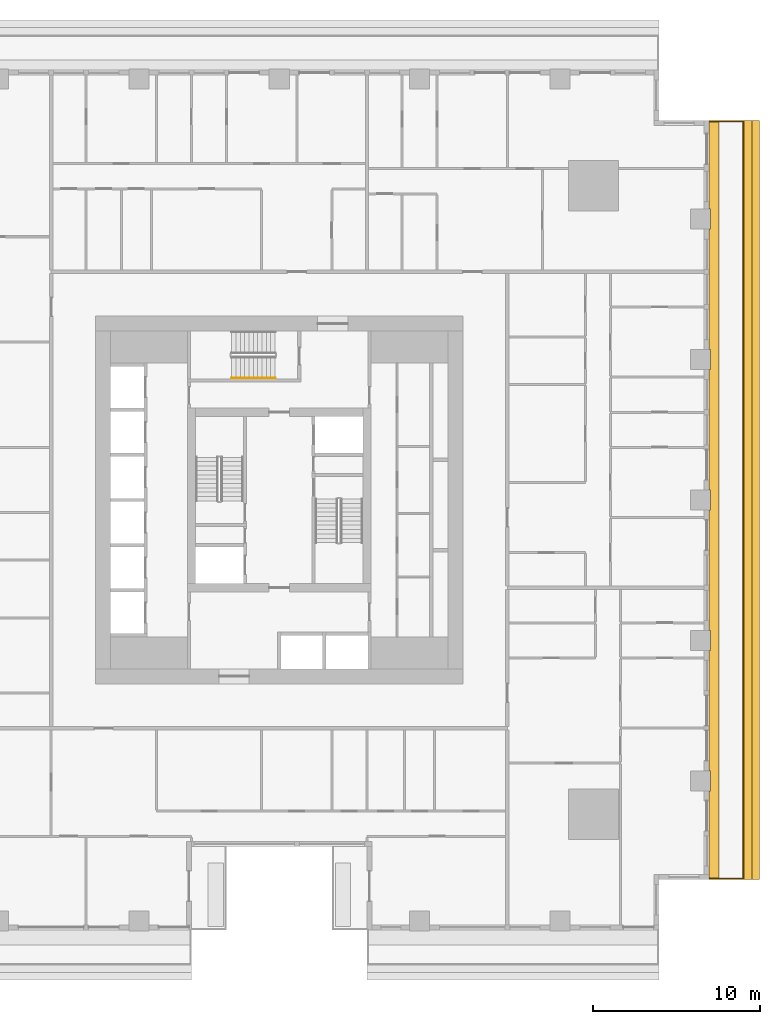
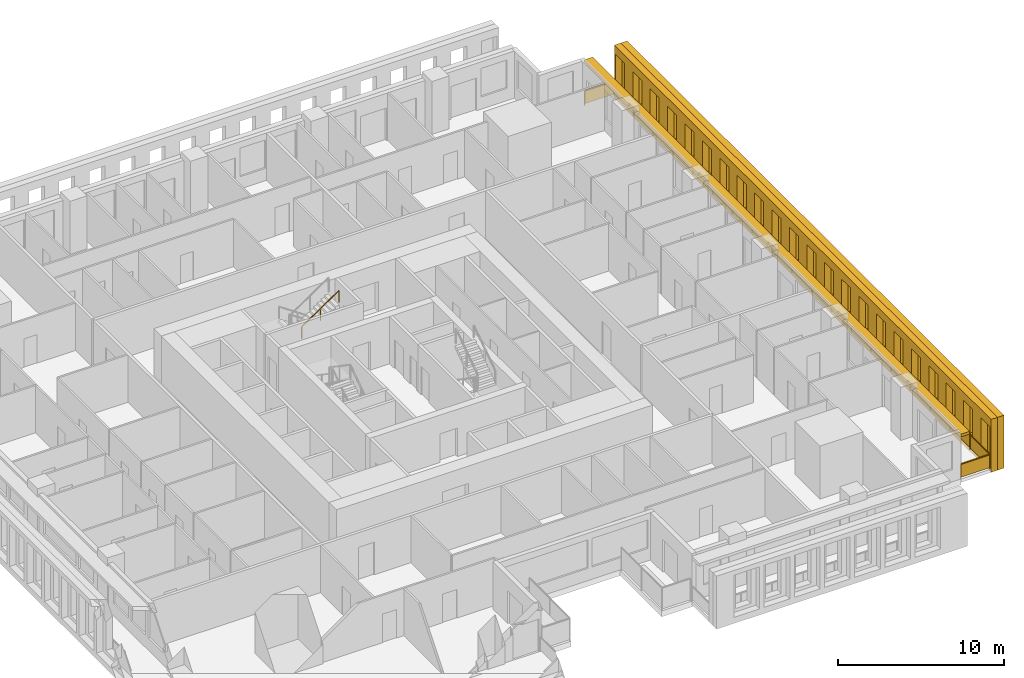
# One storey, part 13 of 15: 3 shading devices, 2 railings.
"""IFC4 building model written with IfcOpenShell, lengths in metres."""

import ifcopenshell
import ifcopenshell.guid

model = None  # the IFC model being written
_history = None  # IfcOwnerHistory: only IFC2X3 demands one
_inside = {}  # id of a spatial element -> (the spatial element, [elements in it])
_under = {}  # id of a project, library or spatial element -> (it, [spatial elements below it])
_declared = {}  # id of a project -> (the project, [libraries it declares])
_typed = {}  # id of a type object -> (the type object, [elements of that type])
_made_of = {}  # id of a material, layer set ... -> (it, [elements and type objects made of it])


def new_model(schema):
    """Start an empty IFC model of exactly this schema.

    Asked for "IFC4X3", IfcOpenShell would pick the latest addendum, in which some entities
    have other attributes; the version numbers below select the first issue.
    IFC2X3 requires an IfcOwnerHistory on every rooted entity: one is made here for all.
    """
    global model, _history
    if schema == "IFC4X3":
        model = ifcopenshell.file(schema_version=(4, 3, 0, 0))
    else:
        model = ifcopenshell.file(schema=schema)
    _inside.clear()
    _under.clear()
    _declared.clear()
    _typed.clear()
    _made_of.clear()
    _history = None
    if model.schema == "IFC2X3":
        org = make("IfcOrganization", Name="unknown")
        user = make(
            "IfcPersonAndOrganization",
            ThePerson=make("IfcPerson", FamilyName="unknown"),
            TheOrganization=org,
        )
        app = make(
            "IfcApplication",
            ApplicationDeveloper=org,
            Version="unknown",
            ApplicationFullName="unknown",
            ApplicationIdentifier="unknown",
        )
        _history = make(
            "IfcOwnerHistory",
            OwningUser=user,
            OwningApplication=app,
            ChangeAction="ADDED",
            CreationDate=0,
        )
    return model


def make(cls, **values):
    """One entity of the class cls with the attributes given. An attribute that is None is left unset."""
    return model.create_entity(
        cls, **{name: value for name, value in values.items() if value is not None}
    )


def rooted(cls, **values):
    """An entity with a GlobalId (a new one), such as an element, a storey or a relation."""
    return make(cls, GlobalId=ifcopenshell.guid.new(), OwnerHistory=_history, **values)


def si_unit(unit_type, name, prefix=None):
    """IfcSIUnit, for example si_unit("LENGTHUNIT", "METRE", prefix="MILLI")."""
    return make("IfcSIUnit", UnitType=unit_type, Prefix=prefix, Name=name)


def assignment(units):
    """IfcUnitAssignment: the units of a project."""
    return None if units is None else make("IfcUnitAssignment", Units=units)


def point(xyz):
    """IfcCartesianPoint."""
    return None if xyz is None else make("IfcCartesianPoint", Coordinates=xyz)


def direction(xyz):
    """IfcDirection."""
    return None if xyz is None else make("IfcDirection", DirectionRatios=xyz)


def frame(location, z_axis=None, x_axis=None):
    """IfcAxis2Placement3D, a coordinate frame: its origin and axes. An axis left out is left unset."""
    return make(
        "IfcAxis2Placement3D",
        Location=point(location),
        Axis=direction(z_axis),
        RefDirection=direction(x_axis),
    )


def frame_2d(location, x_axis=None):
    """IfcAxis2Placement2D, a coordinate frame in the plane: its origin and x axis."""
    return make(
        "IfcAxis2Placement2D", Location=point(location), RefDirection=direction(x_axis)
    )


def origin():
    """The frame at (0, 0, 0) with its axes left unset."""
    return frame((0.0, 0.0, 0.0))


def origin_2d():
    """The frame at (0, 0) in the plane with its x axis left unset."""
    return frame_2d((0.0, 0.0))


def place(relative_to, where):
    """IfcLocalPlacement: puts the frame where relative to a parent placement (None: the world)."""
    return make(
        "IfcLocalPlacement", PlacementRelTo=relative_to, RelativePlacement=where
    )


def context(
    kind, dimensions, precision=None, world=None, true_north=None, identifier=None
):
    """IfcGeometricRepresentationContext, for example the 3D "Model" context."""
    return make(
        "IfcGeometricRepresentationContext",
        ContextIdentifier=identifier,
        ContextType=kind,
        CoordinateSpaceDimension=dimensions,
        Precision=precision,
        WorldCoordinateSystem=world,
        TrueNorth=true_north,
    )


def subcontext(parent, identifier, kind, view, scale=None):
    """IfcGeometricRepresentationSubContext, for example "Body" below "Model"."""
    return make(
        "IfcGeometricRepresentationSubContext",
        ContextIdentifier=identifier,
        ContextType=kind,
        ParentContext=parent,
        TargetScale=scale,
        TargetView=view,
    )


def project(units=None, contexts=None):
    """IfcProject with its units and contexts."""
    return rooted(
        "IfcProject",
        Name="project",
        RepresentationContexts=contexts,
        UnitsInContext=assignment(units),
    )


def spatial(cls, under=None, at=None, **own):
    """A site, building, storey or space (cls), placed at a placement, below another one or the project."""
    s = rooted(cls, ObjectPlacement=at, **own)
    if under is not None:
        _under.setdefault(under.id(), (under, []))[1].append(s)
    return s


def polyline(points):
    """IfcPolyline through the points."""
    return make("IfcPolyline", Points=[point(p) for p in points])


def profile(cls, at=None, kind="AREA", **sizes):
    """A parametric profile (cls). Its sizes go by their IFC names, for example OverallWidth=200.0."""
    return make(cls, ProfileType=kind, Position=at, **sizes)


def rectangle(**sizes):
    """IfcRectangleProfileDef."""
    return profile("IfcRectangleProfileDef", **sizes)


def outline(outer, holes=None, kind="AREA"):
    """IfcArbitraryClosedProfileDef: a profile drawn as a closed curve; with holes, ...WithVoids."""
    if holes is None:
        return make("IfcArbitraryClosedProfileDef", ProfileType=kind, OuterCurve=outer)
    return make(
        "IfcArbitraryProfileDefWithVoids",
        ProfileType=kind,
        OuterCurve=outer,
        InnerCurves=holes,
    )


def extrude(swept, where, along, depth):
    """IfcExtrudedAreaSolid: the profile swept, set in the frame where, extruded along a direction by depth."""
    return make(
        "IfcExtrudedAreaSolid",
        SweptArea=swept,
        Position=where,
        ExtrudedDirection=direction(along),
        Depth=depth,
    )


def shape(context_of_items, identifier, shape_type, items):
    """IfcShapeRepresentation: the items that make up one representation, for example the "Body"."""
    return make(
        "IfcShapeRepresentation",
        ContextOfItems=context_of_items,
        RepresentationIdentifier=identifier,
        RepresentationType=shape_type,
        Items=items,
    )


def material(Name=None, Category=None):
    """IfcMaterial."""
    return make("IfcMaterial", Name=Name, Category=Category)


def layer(
    of_material, thickness, ventilated=None, Name=None, Category=None, Priority=None
):
    """IfcMaterialLayer: one layer of a wall or slab, of a material (None: an air gap)."""
    return make(
        "IfcMaterialLayer",
        Material=of_material,
        LayerThickness=thickness,
        IsVentilated=ventilated,
        Name=Name,
        Category=Category,
        Priority=Priority,
    )


def layer_set(layers, Name=None):
    """IfcMaterialLayerSet."""
    return make("IfcMaterialLayerSet", MaterialLayers=layers, LayerSetName=Name)


def made_of(thing, what):
    """Note that an element or type object is made of a material, layer set ...; save() writes the relation."""
    if what is not None:
        _made_of.setdefault(what.id(), (what, []))[1].append(thing)
    return thing


def type_object(cls, material=None, **own):
    """A type object (cls), such as IfcWallType, which elements share."""
    return made_of(rooted(cls, **own), material)


def element(
    cls,
    number,
    at=None,
    inside=None,
    cuts=None,
    type_object=None,
    material=None,
    context=None,
    identifier="Body",
    shape_type=None,
    held_by="IfcProductDefinitionShape",
    body=None,
    shapes=None,
    **own,
):
    """One element of the class cls, such as IfcWall. Its Tag is "e" and its number.

    at: its placement. inside: the storey or other place that contains it. cuts: it is an
    opening in that element (IfcRelVoidsElement). A single representation is given by context,
    identifier, shape_type and body (its items); several are given by shapes. held_by: the class
    of the entity that holds the representations. save() writes the other relations.
    """
    e = rooted(cls, Tag="e%d" % number, ObjectPlacement=at, **own)
    if body is not None:
        shapes = [shape(context, identifier, shape_type, body)]
    if shapes is not None:
        e.Representation = make(held_by, Representations=shapes)
    if inside is not None:
        _inside.setdefault(inside.id(), (inside, []))[1].append(e)
    if cuts is not None:
        rooted(
            "IfcRelVoidsElement", RelatingBuildingElement=cuts, RelatedOpeningElement=e
        )
    if type_object is not None:
        _typed.setdefault(type_object.id(), (type_object, []))[1].append(e)
    return made_of(e, material)


def aggregate(whole, parts):
    """IfcRelAggregates: a whole, such as a stair, and the parts it consists of."""
    return rooted("IfcRelAggregates", RelatingObject=whole, RelatedObjects=parts)


def save(model, path):
    """Write the relations noted so far, then the file.

    IfcRelAggregates (storeys below a building ...), IfcRelContainedInSpatialStructure (elements
    in a storey), IfcRelDefinesByType, IfcRelAssociatesMaterial and IfcRelDeclares: one each for
    every whole, place, type object, material and project.
    """
    for whole, parts in _under.values():
        aggregate(whole, parts)
    for where, things in _inside.values():
        rooted(
            "IfcRelContainedInSpatialStructure",
            RelatedElements=things,
            RelatingStructure=where,
        )
    for kind, things in _typed.values():
        rooted("IfcRelDefinesByType", RelatedObjects=things, RelatingType=kind)
    for what, things in _made_of.values():
        rooted("IfcRelAssociatesMaterial", RelatedObjects=things, RelatingMaterial=what)
    for by, libraries in _declared.values():
        rooted("IfcRelDeclares", RelatingContext=by, RelatedDefinitions=libraries)
    model.write(path)


model = new_model("IFC4")

# Units and contexts
model_context = context("Model", 3, precision=1e-05, world=origin(), true_north=direction((0.0, 1.0)))
body_context = subcontext(model_context, "Body", "Model", "MODEL_VIEW")
ifc_project = project(units=[si_unit("LENGTHUNIT", "METRE"), si_unit("AREAUNIT", "SQUARE_METRE"), si_unit("VOLUMEUNIT", "CUBIC_METRE"), si_unit("PLANEANGLEUNIT", "RADIAN"), si_unit("MASSUNIT", "GRAM", prefix="KILO")], contexts=[model_context])

# Site, building, storey
site_placement = place(None, origin())
site = spatial("IfcSite", under=ifc_project, at=site_placement, CompositionType="ELEMENT")
building_placement = place(site_placement, origin())
building = spatial("IfcBuilding", under=site, at=building_placement, Name="Khepri Terraces", CompositionType="ELEMENT")
storey_placement = place(building_placement, frame((0.0, 0.0, 34.800048828125)))
storey = spatial("IfcBuildingStorey", under=building, at=storey_placement, Name="L07", CompositionType="ELEMENT", Elevation=34.800048828125)

# Railings
ifc_material_1 = material(Name="Stainless steel grade 316", Category="steel")
railing_type_1 = type_object("IfcRailingType", Name="GRD-BAL-1100", PredefinedType="GUARDRAIL", material=ifc_material_1)
railing_1_placement = place(storey_placement, frame((25.719970703125, -22.669921875, 0.0)))
element("IfcRailing", 1, at=railing_1_placement, inside=storey, type_object=railing_type_1, Name="Balcony guard L07 E", PredefinedType="GUARDRAIL", context=body_context, shape_type="SweptSolid", body=[
    extrude(rectangle(XDim=0.050048828125, YDim=0.06005859375, at=origin_2d()), frame((0.0, 0.0, 1.070068359375), z_axis=(1.0, 0.0, 0.0), x_axis=(0.0, 1.0, 0.0)), (0.0, 0.0, 1.0), 2.050048828125),
    extrude(rectangle(XDim=2.0, YDim=0.011962890625, at=origin_2d()), frame((1.02490234375, 0.0, 0.10009765625), z_axis=(0.0, 0.0, 1.0), x_axis=(1.0, 0.0, 0.0)), (0.0, 0.0, 1.0), 0.93994140625),
    extrude(rectangle(XDim=0.050048828125, YDim=0.06005859375, at=origin_2d()), frame((2.050048828125, 0.0, 1.070068359375), z_axis=(0.0, 1.0, 0.0), x_axis=(-1.0, 0.0, 0.0)), (0.0, 0.0, 1.0), 45.33984375),
    extrude(rectangle(XDim=2.336181640625, YDim=0.011962890625, at=origin_2d()), frame((2.050048828125, 1.193115234375, 0.10009765625), z_axis=(0.0, 0.0, 1.0), x_axis=(0.0, 1.0, 0.0)), (0.0, 0.0, 1.0), 0.93994140625),
    extrude(rectangle(XDim=2.336181640625, YDim=0.011962890625, at=origin_2d()), frame((2.050048828125, 3.579345703125, 0.10009765625), z_axis=(0.0, 0.0, 1.0), x_axis=(0.0, 1.0, 0.0)), (0.0, 0.0, 1.0), 0.93994140625),
    extrude(rectangle(XDim=2.336181640625, YDim=0.011962890625, at=origin_2d()), frame((2.050048828125, 5.9658203125, 0.10009765625), z_axis=(0.0, 0.0, 1.0), x_axis=(0.0, 1.0, 0.0)), (0.0, 0.0, 1.0), 0.93994140625),
    extrude(rectangle(XDim=2.336181640625, YDim=0.011962890625, at=origin_2d()), frame((2.050048828125, 8.35205078125, 0.10009765625), z_axis=(0.0, 0.0, 1.0), x_axis=(0.0, 1.0, 0.0)), (0.0, 0.0, 1.0), 0.93994140625),
    extrude(rectangle(XDim=2.336181640625, YDim=0.011962890625, at=origin_2d()), frame((2.050048828125, 10.73828125, 0.10009765625), z_axis=(0.0, 0.0, 1.0), x_axis=(0.0, 1.0, 0.0)), (0.0, 0.0, 1.0), 0.93994140625),
    extrude(rectangle(XDim=2.336181640625, YDim=0.011962890625, at=origin_2d()), frame((2.050048828125, 13.124755859375, 0.10009765625), z_axis=(0.0, 0.0, 1.0), x_axis=(0.0, 1.0, 0.0)), (0.0, 0.0, 1.0), 0.93994140625),
    extrude(rectangle(XDim=2.336181640625, YDim=0.011962890625, at=origin_2d()), frame((2.050048828125, 15.510986328125, 0.10009765625), z_axis=(0.0, 0.0, 1.0), x_axis=(0.0, 1.0, 0.0)), (0.0, 0.0, 1.0), 0.93994140625),
    extrude(rectangle(XDim=2.336181640625, YDim=0.011962890625, at=origin_2d()), frame((2.050048828125, 17.897216796875, 0.10009765625), z_axis=(0.0, 0.0, 1.0), x_axis=(0.0, 1.0, 0.0)), (0.0, 0.0, 1.0), 0.93994140625),
    extrude(rectangle(XDim=2.336181640625, YDim=0.011962890625, at=origin_2d()), frame((2.050048828125, 20.28369140625, 0.10009765625), z_axis=(0.0, 0.0, 1.0), x_axis=(0.0, 1.0, 0.0)), (0.0, 0.0, 1.0), 0.93994140625),
    extrude(rectangle(XDim=2.336181640625, YDim=0.011962890625, at=origin_2d()), frame((2.050048828125, 22.669921875, 0.10009765625), z_axis=(0.0, 0.0, 1.0), x_axis=(0.0, 1.0, 0.0)), (0.0, 0.0, 1.0), 0.93994140625),
    extrude(rectangle(XDim=2.336181640625, YDim=0.011962890625, at=origin_2d()), frame((2.050048828125, 25.05615234375, 0.10009765625), z_axis=(0.0, 0.0, 1.0), x_axis=(0.0, 1.0, 0.0)), (0.0, 0.0, 1.0), 0.93994140625),
    extrude(rectangle(XDim=2.336181640625, YDim=0.011962890625, at=origin_2d()), frame((2.050048828125, 27.442626953125, 0.10009765625), z_axis=(0.0, 0.0, 1.0), x_axis=(0.0, 1.0, 0.0)), (0.0, 0.0, 1.0), 0.93994140625),
    extrude(rectangle(XDim=2.336181640625, YDim=0.011962890625, at=origin_2d()), frame((2.050048828125, 29.828857421875, 0.10009765625), z_axis=(0.0, 0.0, 1.0), x_axis=(0.0, 1.0, 0.0)), (0.0, 0.0, 1.0), 0.93994140625),
    extrude(rectangle(XDim=2.336181640625, YDim=0.011962890625, at=origin_2d()), frame((2.050048828125, 32.215087890625, 0.10009765625), z_axis=(0.0, 0.0, 1.0), x_axis=(0.0, 1.0, 0.0)), (0.0, 0.0, 1.0), 0.93994140625),
    extrude(rectangle(XDim=2.336181640625, YDim=0.011962890625, at=origin_2d()), frame((2.050048828125, 34.6015625, 0.10009765625), z_axis=(0.0, 0.0, 1.0), x_axis=(0.0, 1.0, 0.0)), (0.0, 0.0, 1.0), 0.93994140625),
    extrude(rectangle(XDim=2.336181640625, YDim=0.011962890625, at=origin_2d()), frame((2.050048828125, 36.98779296875, 0.10009765625), z_axis=(0.0, 0.0, 1.0), x_axis=(0.0, 1.0, 0.0)), (0.0, 0.0, 1.0), 0.93994140625),
    extrude(rectangle(XDim=2.336181640625, YDim=0.011962890625, at=origin_2d()), frame((2.050048828125, 39.3740234375, 0.10009765625), z_axis=(0.0, 0.0, 1.0), x_axis=(0.0, 1.0, 0.0)), (0.0, 0.0, 1.0), 0.93994140625),
    extrude(rectangle(XDim=2.336181640625, YDim=0.011962890625, at=origin_2d()), frame((2.050048828125, 41.760498046875, 0.10009765625), z_axis=(0.0, 0.0, 1.0), x_axis=(0.0, 1.0, 0.0)), (0.0, 0.0, 1.0), 0.93994140625),
    extrude(rectangle(XDim=2.336181640625, YDim=0.011962890625, at=origin_2d()), frame((2.050048828125, 44.146728515625, 0.10009765625), z_axis=(0.0, 0.0, 1.0), x_axis=(0.0, 1.0, 0.0)), (0.0, 0.0, 1.0), 0.93994140625),
    extrude(rectangle(XDim=0.050048828125, YDim=0.06005859375, at=origin_2d()), frame((2.050048828125, 45.33984375, 1.070068359375), z_axis=(-1.0, 0.0, 0.0), x_axis=(0.0, -1.0, 0.0)), (0.0, 0.0, 1.0), 2.050048828125),
    extrude(rectangle(XDim=2.0, YDim=0.011962890625, at=origin_2d()), frame((1.02490234375, 45.33984375, 0.10009765625), z_axis=(0.0, 0.0, 1.0), x_axis=(-1.0, 0.0, 0.0)), (0.0, 0.0, 1.0), 0.93994140625),
    extrude(rectangle(XDim=0.050048828125, YDim=0.050048828125, at=origin_2d()), origin(), (0.0, 0.0, 1.0), 1.0400390625),
    extrude(rectangle(XDim=0.050048828125, YDim=0.050048828125, at=origin_2d()), frame((2.050048828125, 0.0, 0.0)), (0.0, 0.0, 1.0), 1.0400390625),
    extrude(rectangle(XDim=0.050048828125, YDim=0.050048828125, at=origin_2d()), frame((2.050048828125, 2.38623046875, 0.0)), (0.0, 0.0, 1.0), 1.0400390625),
    extrude(rectangle(XDim=0.050048828125, YDim=0.050048828125, at=origin_2d()), frame((2.050048828125, 4.772705078125, 0.0)), (0.0, 0.0, 1.0), 1.0400390625),
    extrude(rectangle(XDim=0.050048828125, YDim=0.050048828125, at=origin_2d()), frame((2.050048828125, 7.158935546875, 0.0)), (0.0, 0.0, 1.0), 1.0400390625),
    extrude(rectangle(XDim=0.050048828125, YDim=0.050048828125, at=origin_2d()), frame((2.050048828125, 9.545166015625, 0.0)), (0.0, 0.0, 1.0), 1.0400390625),
    extrude(rectangle(XDim=0.050048828125, YDim=0.050048828125, at=origin_2d()), frame((2.050048828125, 11.931640625, 0.0)), (0.0, 0.0, 1.0), 1.0400390625),
    extrude(rectangle(XDim=0.050048828125, YDim=0.050048828125, at=origin_2d()), frame((2.050048828125, 14.31787109375, 0.0)), (0.0, 0.0, 1.0), 1.0400390625),
    extrude(rectangle(XDim=0.050048828125, YDim=0.050048828125, at=origin_2d()), frame((2.050048828125, 16.7041015625, 0.0)), (0.0, 0.0, 1.0), 1.0400390625),
    extrude(rectangle(XDim=0.050048828125, YDim=0.050048828125, at=origin_2d()), frame((2.050048828125, 19.090576171875, 0.0)), (0.0, 0.0, 1.0), 1.0400390625),
    extrude(rectangle(XDim=0.050048828125, YDim=0.050048828125, at=origin_2d()), frame((2.050048828125, 21.476806640625, 0.0)), (0.0, 0.0, 1.0), 1.0400390625),
    extrude(rectangle(XDim=0.050048828125, YDim=0.050048828125, at=origin_2d()), frame((2.050048828125, 23.863037109375, 0.0)), (0.0, 0.0, 1.0), 1.0400390625),
    extrude(rectangle(XDim=0.050048828125, YDim=0.050048828125, at=origin_2d()), frame((2.050048828125, 26.249267578125, 0.0)), (0.0, 0.0, 1.0), 1.0400390625),
    extrude(rectangle(XDim=0.050048828125, YDim=0.050048828125, at=origin_2d()), frame((2.050048828125, 28.6357421875, 0.0)), (0.0, 0.0, 1.0), 1.0400390625),
    extrude(rectangle(XDim=0.050048828125, YDim=0.050048828125, at=origin_2d()), frame((2.050048828125, 31.02197265625, 0.0)), (0.0, 0.0, 1.0), 1.0400390625),
    extrude(rectangle(XDim=0.050048828125, YDim=0.050048828125, at=origin_2d()), frame((2.050048828125, 33.408203125, 0.0)), (0.0, 0.0, 1.0), 1.0400390625),
    extrude(rectangle(XDim=0.050048828125, YDim=0.050048828125, at=origin_2d()), frame((2.050048828125, 35.794677734375, 0.0)), (0.0, 0.0, 1.0), 1.0400390625),
    extrude(rectangle(XDim=0.050048828125, YDim=0.050048828125, at=origin_2d()), frame((2.050048828125, 38.180908203125, 0.0)), (0.0, 0.0, 1.0), 1.0400390625),
    extrude(rectangle(XDim=0.050048828125, YDim=0.050048828125, at=origin_2d()), frame((2.050048828125, 40.567138671875, 0.0)), (0.0, 0.0, 1.0), 1.0400390625),
    extrude(rectangle(XDim=0.050048828125, YDim=0.050048828125, at=origin_2d()), frame((2.050048828125, 42.95361328125, 0.0)), (0.0, 0.0, 1.0), 1.0400390625),
    extrude(rectangle(XDim=0.050048828125, YDim=0.050048828125, at=origin_2d()), frame((2.050048828125, 45.33984375, 0.0)), (0.0, 0.0, 1.0), 1.0400390625),
    extrude(rectangle(XDim=0.050048828125, YDim=0.050048828125, at=origin_2d()), frame((0.0, 45.33984375, 0.0)), (0.0, 0.0, 1.0), 1.0400390625),
])
ifc_material_2 = material(Name="Stainless steel 316", Category="steel")
railing_type_2 = type_object("IfcRailingType", Name="RL-CORE-HANDRAIL", PredefinedType="HANDRAIL", material=ifc_material_2)
railing_2_placement = place(storey_placement, frame((-2.85009765625, 7.300048828125, 2.127197265625)))
element("IfcRailing", 2, at=railing_2_placement, inside=storey, type_object=railing_type_2, Name="L07 ST-3 stair handrail 2", PredefinedType="HANDRAIL", context=body_context, shape_type="SweptSolid", body=[
    extrude(rectangle(XDim=0.050048828125, YDim=0.050048828125, at=origin_2d()), frame((0.0, 0.0, 0.875), z_axis=(0.826240473404, 0.0, 0.563317565952), x_axis=(0.0, 1.0, 0.0)), (0.0, 0.0, 1.0), 3.14697265625),
    extrude(rectangle(XDim=0.050048828125, YDim=0.050048828125, at=origin_2d()), origin(), (0.0, 0.0, 1.0), 0.849853515625),
    extrude(rectangle(XDim=0.050048828125, YDim=0.050048828125, at=origin_2d()), frame((1.300048828125, 0.0, 0.88623046875)), (0.0, 0.0, 1.0), 0.849853515625),
    extrude(rectangle(XDim=0.050048828125, YDim=0.050048828125, at=origin_2d()), frame((2.60009765625, 0.0, 1.772705078125)), (0.0, 0.0, 1.0), 0.849853515625),
])

# Shading devices
ifc_material_3 = material(Name="Precast concrete C50/60 warm stone", Category="masonry")
shading_device_type_1 = type_object("IfcShadingDeviceType", Name="SCR-CELL-INNER-450", PredefinedType="USERDEFINED", material=ifc_material_3)
shading_device_1_placement = place(storey_placement, frame((27.820068359375, -22.719970703125, -0.25), z_axis=(1.0, 0.0, 0.0), x_axis=(0.0, 1.0, 0.0)))
element("IfcShadingDevice", 3, at=shading_device_1_placement, inside=storey, type_object=shading_device_type_1, Name="Cell screen L07 E in", ObjectType="SCREEN", PredefinedType="USERDEFINED", context=body_context, shape_type="SweptSolid", body=[
    extrude(outline(polyline([(0.0, 0.0), (45.43994140625, 0.0), (45.43994140625, 3.89990234375), (0.0, 3.89990234375), (0.0, 0.0)]), holes=[polyline([(0.126708984375, 0.699951171875), (1.21337890625, 0.699951171875), (1.21337890625, 3.300048828125), (0.126708984375, 3.300048828125), (0.126708984375, 0.699951171875)]), polyline([(2.2265625, 0.699951171875), (3.3134765625, 0.699951171875), (3.3134765625, 3.300048828125), (2.2265625, 3.300048828125), (2.2265625, 0.699951171875)]), polyline([(4.32666015625, 0.699951171875), (5.413330078125, 0.699951171875), (5.413330078125, 3.300048828125), (4.32666015625, 3.300048828125), (4.32666015625, 0.699951171875)]), polyline([(6.426513671875, 0.699951171875), (7.513427734375, 0.699951171875), (7.513427734375, 3.300048828125), (6.426513671875, 3.300048828125), (6.426513671875, 0.699951171875)]), polyline([(8.526611328125, 0.699951171875), (9.61328125, 0.699951171875), (9.61328125, 3.300048828125), (8.526611328125, 3.300048828125), (8.526611328125, 0.699951171875)]), polyline([(10.626708984375, 0.699951171875), (11.71337890625, 0.699951171875), (11.71337890625, 3.300048828125), (10.626708984375, 3.300048828125), (10.626708984375, 0.699951171875)]), polyline([(12.7265625, 0.699951171875), (13.8134765625, 0.699951171875), (13.8134765625, 3.300048828125), (12.7265625, 3.300048828125), (12.7265625, 0.699951171875)]), polyline([(14.82666015625, 0.699951171875), (15.913330078125, 0.699951171875), (15.913330078125, 3.300048828125), (14.82666015625, 3.300048828125), (14.82666015625, 0.699951171875)]), polyline([(16.926513671875, 0.699951171875), (18.013427734375, 0.699951171875), (18.013427734375, 3.300048828125), (16.926513671875, 3.300048828125), (16.926513671875, 0.699951171875)]), polyline([(19.026611328125, 0.699951171875), (20.11328125, 0.699951171875), (20.11328125, 3.300048828125), (19.026611328125, 3.300048828125), (19.026611328125, 0.699951171875)]), polyline([(21.126708984375, 0.699951171875), (22.21337890625, 0.699951171875), (22.21337890625, 3.300048828125), (21.126708984375, 3.300048828125), (21.126708984375, 0.699951171875)]), polyline([(23.2265625, 0.699951171875), (24.3134765625, 0.699951171875), (24.3134765625, 3.300048828125), (23.2265625, 3.300048828125), (23.2265625, 0.699951171875)]), polyline([(25.32666015625, 0.699951171875), (26.413330078125, 0.699951171875), (26.413330078125, 3.300048828125), (25.32666015625, 3.300048828125), (25.32666015625, 0.699951171875)]), polyline([(27.426513671875, 0.699951171875), (28.513427734375, 0.699951171875), (28.513427734375, 3.300048828125), (27.426513671875, 3.300048828125), (27.426513671875, 0.699951171875)]), polyline([(29.526611328125, 0.699951171875), (30.61328125, 0.699951171875), (30.61328125, 3.300048828125), (29.526611328125, 3.300048828125), (29.526611328125, 0.699951171875)]), polyline([(31.626708984375, 0.699951171875), (32.71337890625, 0.699951171875), (32.71337890625, 3.300048828125), (31.626708984375, 3.300048828125), (31.626708984375, 0.699951171875)]), polyline([(33.7265625, 0.699951171875), (34.8134765625, 0.699951171875), (34.8134765625, 3.300048828125), (33.7265625, 3.300048828125), (33.7265625, 0.699951171875)]), polyline([(35.82666015625, 0.699951171875), (36.913330078125, 0.699951171875), (36.913330078125, 3.300048828125), (35.82666015625, 3.300048828125), (35.82666015625, 0.699951171875)]), polyline([(37.926513671875, 0.699951171875), (39.013427734375, 0.699951171875), (39.013427734375, 3.300048828125), (37.926513671875, 3.300048828125), (37.926513671875, 0.699951171875)]), polyline([(40.026611328125, 0.699951171875), (41.11328125, 0.699951171875), (41.11328125, 3.300048828125), (40.026611328125, 3.300048828125), (40.026611328125, 0.699951171875)]), polyline([(42.126708984375, 0.699951171875), (43.21337890625, 0.699951171875), (43.21337890625, 3.300048828125), (42.126708984375, 3.300048828125), (42.126708984375, 0.699951171875)]), polyline([(44.2265625, 0.699951171875), (45.3134765625, 0.699951171875), (45.3134765625, 3.300048828125), (44.2265625, 3.300048828125), (44.2265625, 0.699951171875)])]), origin(), (0.0, 0.0, 1.0), 0.449951171875),
])
shading_device_type_2 = type_object("IfcShadingDeviceType", Name="SCR-CELL-OUTER-450", PredefinedType="USERDEFINED", material=ifc_material_3)
shading_device_2_placement = place(storey_placement, frame((28.27001953125, -22.719970703125, -0.25), z_axis=(1.0, 0.0, 0.0), x_axis=(0.0, 1.0, 0.0)))
element("IfcShadingDevice", 4, at=shading_device_2_placement, inside=storey, type_object=shading_device_type_2, Name="Cell screen L07 E out", ObjectType="SCREEN", PredefinedType="USERDEFINED", context=body_context, shape_type="SweptSolid", body=[
    extrude(outline(polyline([(0.0, 0.0), (45.43994140625, 0.0), (45.43994140625, 3.89990234375), (0.0, 3.89990234375), (0.0, 0.0)]), holes=[polyline([(1.876708984375, 0.449951171875), (3.663330078125, 0.449951171875), (3.663330078125, 3.550048828125), (1.876708984375, 3.550048828125), (1.876708984375, 0.449951171875)]), polyline([(3.9765625, 0.449951171875), (5.763427734375, 0.449951171875), (5.763427734375, 3.550048828125), (3.9765625, 3.550048828125), (3.9765625, 0.449951171875)]), polyline([(6.07666015625, 0.449951171875), (7.86328125, 0.449951171875), (7.86328125, 3.550048828125), (6.07666015625, 3.550048828125), (6.07666015625, 0.449951171875)]), polyline([(8.176513671875, 0.449951171875), (9.96337890625, 0.449951171875), (9.96337890625, 3.550048828125), (8.176513671875, 3.550048828125), (8.176513671875, 0.449951171875)]), polyline([(10.276611328125, 0.449951171875), (12.0634765625, 0.449951171875), (12.0634765625, 3.550048828125), (10.276611328125, 3.550048828125), (10.276611328125, 0.449951171875)]), polyline([(12.376708984375, 0.449951171875), (14.163330078125, 0.449951171875), (14.163330078125, 3.550048828125), (12.376708984375, 3.550048828125), (12.376708984375, 0.449951171875)]), polyline([(14.4765625, 0.449951171875), (16.263427734375, 0.449951171875), (16.263427734375, 3.550048828125), (14.4765625, 3.550048828125), (14.4765625, 0.449951171875)]), polyline([(16.57666015625, 0.449951171875), (18.36328125, 0.449951171875), (18.36328125, 3.550048828125), (16.57666015625, 3.550048828125), (16.57666015625, 0.449951171875)]), polyline([(18.676513671875, 0.449951171875), (20.46337890625, 0.449951171875), (20.46337890625, 3.550048828125), (18.676513671875, 3.550048828125), (18.676513671875, 0.449951171875)]), polyline([(20.776611328125, 0.449951171875), (22.5634765625, 0.449951171875), (22.5634765625, 3.550048828125), (20.776611328125, 3.550048828125), (20.776611328125, 0.449951171875)]), polyline([(22.876708984375, 0.449951171875), (24.663330078125, 0.449951171875), (24.663330078125, 3.550048828125), (22.876708984375, 3.550048828125), (22.876708984375, 0.449951171875)]), polyline([(24.9765625, 0.449951171875), (26.763427734375, 0.449951171875), (26.763427734375, 3.550048828125), (24.9765625, 3.550048828125), (24.9765625, 0.449951171875)]), polyline([(27.07666015625, 0.449951171875), (28.86328125, 0.449951171875), (28.86328125, 3.550048828125), (27.07666015625, 3.550048828125), (27.07666015625, 0.449951171875)]), polyline([(29.176513671875, 0.449951171875), (30.96337890625, 0.449951171875), (30.96337890625, 3.550048828125), (29.176513671875, 3.550048828125), (29.176513671875, 0.449951171875)]), polyline([(31.276611328125, 0.449951171875), (33.0634765625, 0.449951171875), (33.0634765625, 3.550048828125), (31.276611328125, 3.550048828125), (31.276611328125, 0.449951171875)]), polyline([(33.376708984375, 0.449951171875), (35.163330078125, 0.449951171875), (35.163330078125, 3.550048828125), (33.376708984375, 3.550048828125), (33.376708984375, 0.449951171875)]), polyline([(35.4765625, 0.449951171875), (37.263427734375, 0.449951171875), (37.263427734375, 3.550048828125), (35.4765625, 3.550048828125), (35.4765625, 0.449951171875)]), polyline([(37.57666015625, 0.449951171875), (39.36328125, 0.449951171875), (39.36328125, 3.550048828125), (37.57666015625, 3.550048828125), (37.57666015625, 0.449951171875)]), polyline([(39.676513671875, 0.449951171875), (41.46337890625, 0.449951171875), (41.46337890625, 3.550048828125), (39.676513671875, 3.550048828125), (39.676513671875, 0.449951171875)]), polyline([(41.776611328125, 0.449951171875), (43.5634765625, 0.449951171875), (43.5634765625, 3.550048828125), (41.776611328125, 3.550048828125), (41.776611328125, 0.449951171875)])]), origin(), (0.0, 0.0, 1.0), 0.449951171875),
])
ifc_layer = layer(ifc_material_3, 0.199951171875, Name="Precast concrete C50/60 warm stone", Category="masonry")
ifc_layer_set = layer_set([ifc_layer], Name="Precast concrete C50/60 warm stone")
shading_device_type_3 = type_object("IfcShadingDeviceType", Name="SSH-BAND-STONE-200-N", PredefinedType="USERDEFINED", material=ifc_layer_set)
shading_device_3_placement = place(storey_placement, frame((0.0, 0.0, 3.099853515625)))
element("IfcShadingDevice", 5, at=shading_device_3_placement, inside=storey, type_object=shading_device_type_3, Name="Sunshade band L07 E", ObjectType="SUNSHADE", PredefinedType="USERDEFINED", context=body_context, shape_type="SweptSolid", body=[
    extrude(outline(polyline([(25.719970703125, -17.39990234375), (25.719970703125, -22.719970703125), (26.320068359375, -22.719970703125), (26.320068359375, 22.719970703125), (25.719970703125, 22.719970703125), (25.719970703125, 17.39990234375), (25.800048828125, 17.39990234375), (25.800048828125, 16.199951171875), (25.719970703125, 16.199951171875), (25.719970703125, 9.0), (25.800048828125, 9.0), (25.800048828125, 7.800048828125), (25.719970703125, 7.800048828125), (25.719970703125, 0.60009765625), (25.800048828125, 0.60009765625), (25.800048828125, -0.60009765625), (25.719970703125, -0.60009765625), (25.719970703125, -7.800048828125), (25.800048828125, -7.800048828125), (25.800048828125, -9.0), (25.719970703125, -9.0), (25.719970703125, -16.199951171875), (25.800048828125, -16.199951171875), (25.800048828125, -17.39990234375), (25.719970703125, -17.39990234375)])), origin(), (0.0, 0.0, 1.0), 0.2001953125),
])

save(model, "model.ifc")
